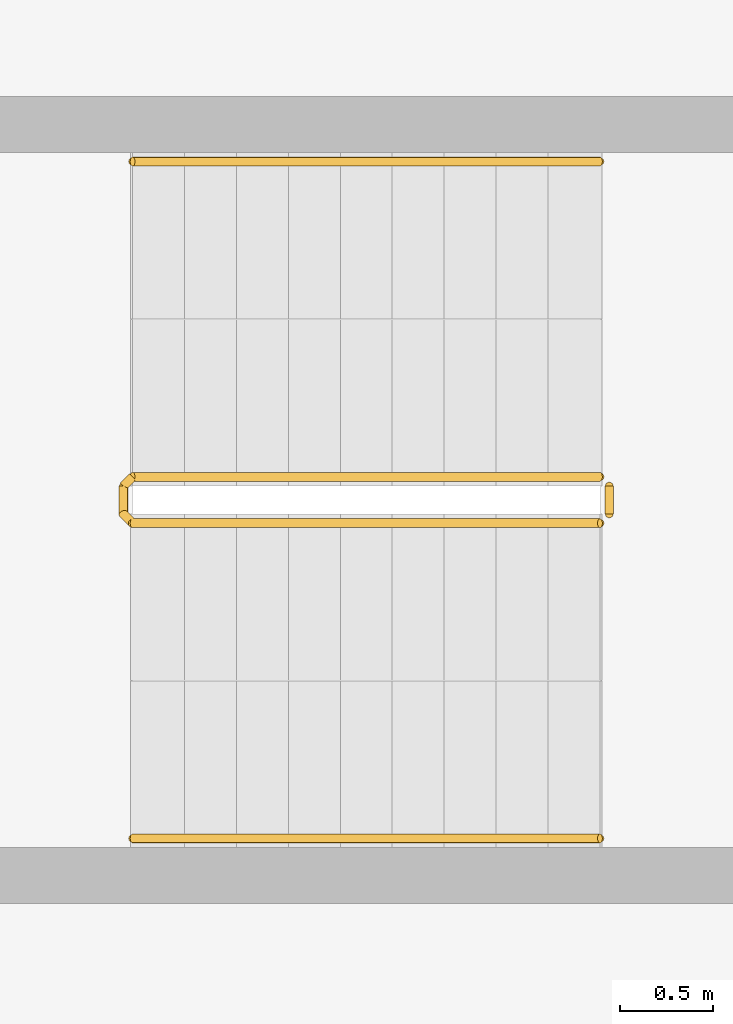
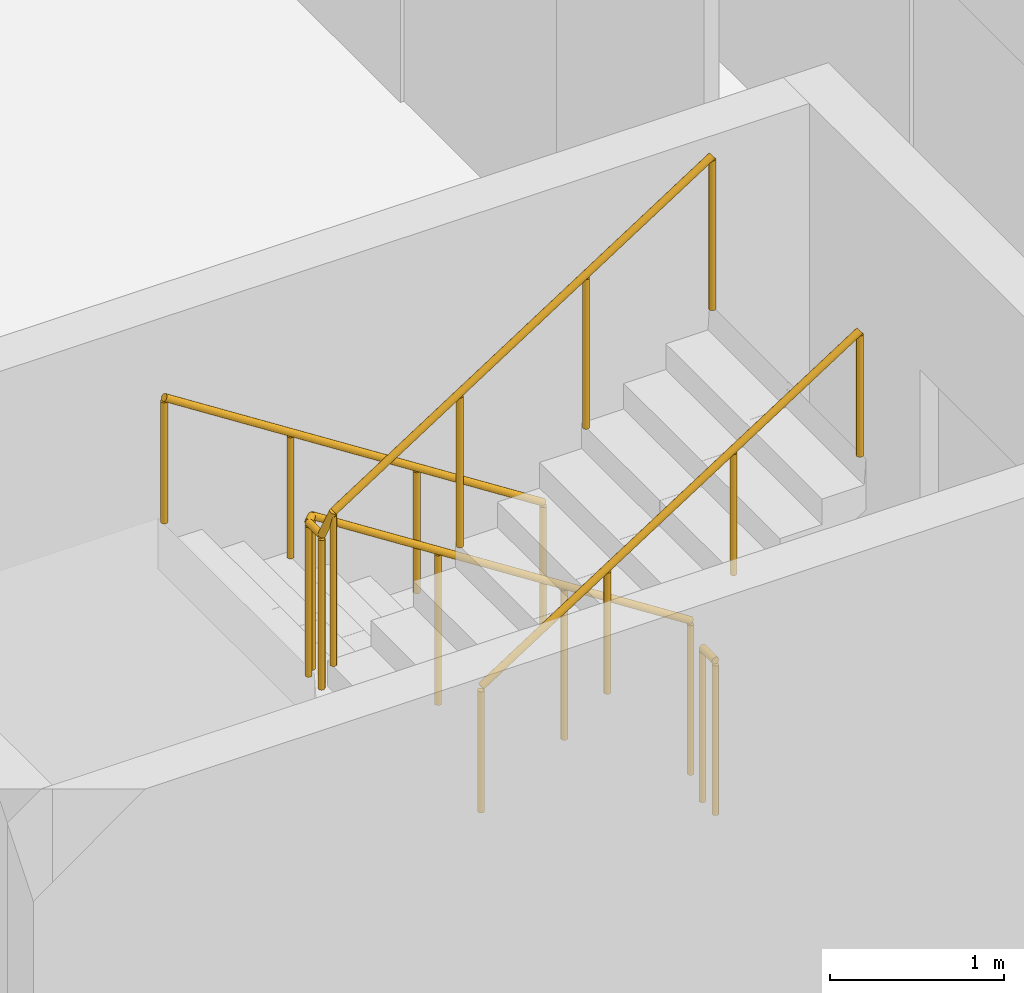
# One storey, part 22 of 25: 4 railings.
"""IFC4 building model written with IfcOpenShell, lengths in metres."""

from ifc_helpers import new_model, si_unit, direction, frame, origin, origin_2d, place, context, subcontext, project, spatial, circle, extrude, material, type_object, element, save


model = new_model("IFC4")

# Units and contexts
model_context = context("Model", 3, precision=1e-05, world=origin(), true_north=direction((0.0, 1.0)))
body_context = subcontext(model_context, "Body", "Model", "MODEL_VIEW")
ifc_project = project(units=[si_unit("LENGTHUNIT", "METRE"), si_unit("AREAUNIT", "SQUARE_METRE"), si_unit("VOLUMEUNIT", "CUBIC_METRE"), si_unit("PLANEANGLEUNIT", "RADIAN"), si_unit("MASSUNIT", "GRAM", prefix="KILO")], contexts=[model_context])

# Site, building, storey
site_placement = place(None, origin())
site = spatial("IfcSite", under=ifc_project, at=site_placement, CompositionType="ELEMENT")
building_placement = place(site_placement, origin())
building = spatial("IfcBuilding", under=site, at=building_placement, Name="Wharfspan Tower", CompositionType="ELEMENT")
storey_placement = place(building_placement, frame((0.0, 0.0, 63.100098)))
storey = spatial("IfcBuildingStorey", under=building, at=storey_placement, Name="L12", CompositionType="ELEMENT", Elevation=63.100098)

# Railings
ifc_material = material(Name="Steel S355J2", Category="steel")
railing_type_1 = type_object("IfcRailingType", Name="Stair guard 1100", PredefinedType="GUARDRAIL", material=ifc_material)
railing_1_placement = place(storey_placement, frame((6.899902, 22.625, 0.179932)))
element("IfcRailing", 1, at=railing_1_placement, inside=storey, type_object=railing_type_1, Name="L12 ST3 stair guard 1", PredefinedType="GUARDRAIL", context=body_context, shape_type="SweptSolid", body=[
    extrude(circle(Radius=0.023926, at=origin_2d()), frame((0.0, 0.0, 1.076172), z_axis=(-0.8412, 0.0, 0.540725), x_axis=(0.0, -1.0, 0.0)), (0.0, 0.0, 1.0), 2.99585),
    extrude(circle(Radius=0.023926, at=origin_2d()), frame((-2.52002, 0.0, 2.695801), z_axis=(-0.705376, -0.708834, 0.0), x_axis=(0.708834, -0.705376, 0.0)), (0.0, 0.0, 1.0), 0.070557),
    extrude(circle(Radius=0.023926, at=origin_2d()), frame((-2.569824, -0.050049, 2.695801), z_axis=(0.0, -1.0, 0.0), x_axis=(1.0, 0.0, 0.0)), (0.0, 0.0, 1.0), 0.149902),
    extrude(circle(Radius=0.023926, at=origin_2d()), frame((-2.569824, -0.199951, 2.695801), z_axis=(0.257366, -0.258628, 0.931061), x_axis=(0.708838, 0.705372, -2e-06)), (0.0, 0.0, 1.0), 0.193604),
    extrude(circle(Radius=0.023926, at=origin_2d()), frame((-2.52002, -0.25, 2.875977), z_axis=(0.8412, 0.0, 0.540725), x_axis=(0.0, 1.0, 0.0)), (0.0, 0.0, 1.0), 2.99585),
    extrude(circle(Radius=0.020996, at=origin_2d()), origin(), (0.0, 0.0, 1.0), 1.052002),
    extrude(circle(Radius=0.020996, at=origin_2d()), frame((-0.840088, 0.0, 0.540039)), (0.0, 0.0, 1.0), 1.052002),
    extrude(circle(Radius=0.020996, at=origin_2d()), frame((-1.679932, 0.0, 1.079834)), (0.0, 0.0, 1.0), 1.052002),
    extrude(circle(Radius=0.020996, at=origin_2d()), frame((-2.52002, 0.0, 1.619873)), (0.0, 0.0, 1.0), 1.052002),
    extrude(circle(Radius=0.020996, at=origin_2d()), frame((-2.569824, -0.050049, 1.619873)), (0.0, 0.0, 1.0), 1.052002),
    extrude(circle(Radius=0.020996, at=origin_2d()), frame((-2.569824, -0.199951, 1.619873)), (0.0, 0.0, 1.0), 1.052002),
    extrude(circle(Radius=0.020996, at=origin_2d()), frame((-2.52002, -0.25, 1.800049)), (0.0, 0.0, 1.0), 1.052002),
    extrude(circle(Radius=0.020996, at=origin_2d()), frame((-1.679932, -0.25, 2.340088)), (0.0, 0.0, 1.0), 1.052002),
    extrude(circle(Radius=0.020996, at=origin_2d()), frame((-0.840088, -0.25, 2.879883)), (0.0, 0.0, 1.0), 1.052002),
    extrude(circle(Radius=0.020996, at=origin_2d()), frame((0.0, -0.25, 3.419922)), (0.0, 0.0, 1.0), 1.052002),
])
railing_2_placement = place(storey_placement, frame((6.949951, 22.574951, 0.0)))
element("IfcRailing", 2, at=railing_2_placement, inside=storey, type_object=railing_type_1, Name="L12 ST3 stair guard 2", PredefinedType="GUARDRAIL", context=body_context, shape_type="SweptSolid", body=[
    extrude(circle(Radius=0.023926, at=origin_2d()), frame((0.0, 0.0, 1.076172), z_axis=(0.0, -1.0, 0.0), x_axis=(1.0, 0.0, 0.0)), (0.0, 0.0, 1.0), 0.149902),
    extrude(circle(Radius=0.020996, at=origin_2d()), origin(), (0.0, 0.0, 1.0), 1.052002),
    extrude(circle(Radius=0.020996, at=origin_2d()), frame((0.0, -0.149902, 0.0)), (0.0, 0.0, 1.0), 1.052002),
])
railing_type_2 = type_object("IfcRailingType", Name="Stair handrail 900", PredefinedType="HANDRAIL", material=ifc_material)
railing_3_placement = place(storey_placement, frame((6.899902, 24.324951, 0.179932)))
element("IfcRailing", 3, at=railing_3_placement, inside=storey, type_object=railing_type_2, Name="L12 ST3 stair handrail 1", PredefinedType="HANDRAIL", context=body_context, shape_type="SweptSolid", body=[
    extrude(circle(Radius=0.023926, at=origin_2d()), frame((0.0, 0.0, 0.875977), z_axis=(-0.8412, 0.0, 0.540725), x_axis=(0.0, -1.0, 0.0)), (0.0, 0.0, 1.0), 2.99585),
    extrude(circle(Radius=0.020996, at=origin_2d()), origin(), (0.0, 0.0, 1.0), 0.851807),
    extrude(circle(Radius=0.020996, at=origin_2d()), frame((-0.840088, 0.0, 0.540039)), (0.0, 0.0, 1.0), 0.851807),
    extrude(circle(Radius=0.020996, at=origin_2d()), frame((-1.679932, 0.0, 1.079834)), (0.0, 0.0, 1.0), 0.851807),
    extrude(circle(Radius=0.020996, at=origin_2d()), frame((-2.52002, 0.0, 1.619873)), (0.0, 0.0, 1.0), 0.851807),
])
railing_4_placement = place(storey_placement, frame((4.379883, 20.675049, 1.97998)))
element("IfcRailing", 4, at=railing_4_placement, inside=storey, type_object=railing_type_2, Name="L12 ST3 stair handrail 2", PredefinedType="HANDRAIL", context=body_context, shape_type="SweptSolid", body=[
    extrude(circle(Radius=0.023926, at=origin_2d()), frame((0.0, 0.0, 0.875977), z_axis=(0.8412, 0.0, 0.540725), x_axis=(0.0, 1.0, 0.0)), (0.0, 0.0, 1.0), 2.99585),
    extrude(circle(Radius=0.020996, at=origin_2d()), origin(), (0.0, 0.0, 1.0), 0.851807),
    extrude(circle(Radius=0.020996, at=origin_2d()), frame((0.840088, 0.0, 0.540039)), (0.0, 0.0, 1.0), 0.851807),
    extrude(circle(Radius=0.020996, at=origin_2d()), frame((1.679932, 0.0, 1.079834)), (0.0, 0.0, 1.0), 0.851807),
    extrude(circle(Radius=0.020996, at=origin_2d()), frame((2.52002, 0.0, 1.619873)), (0.0, 0.0, 1.0), 0.851807),
])

save(model, "model.ifc")
